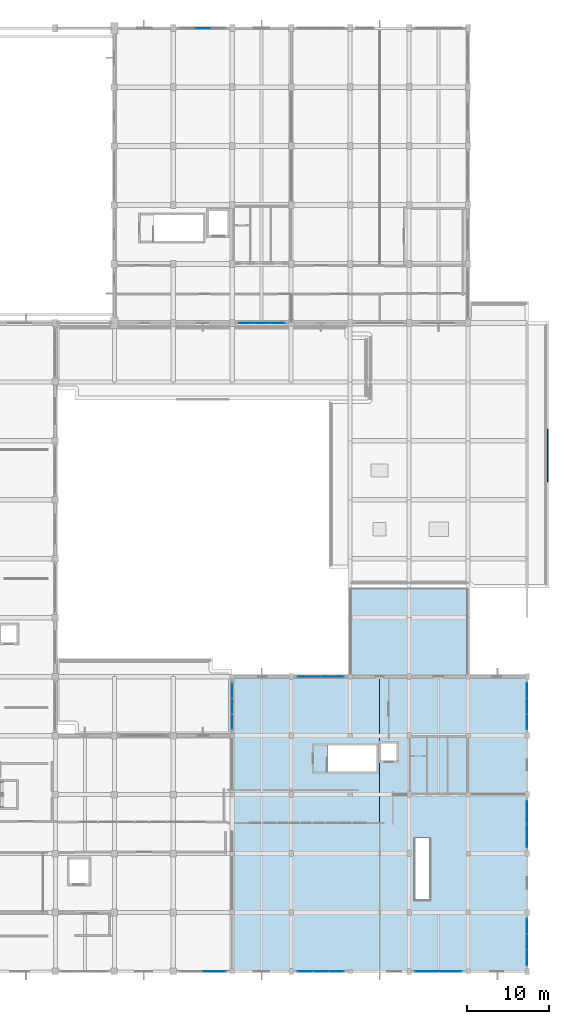
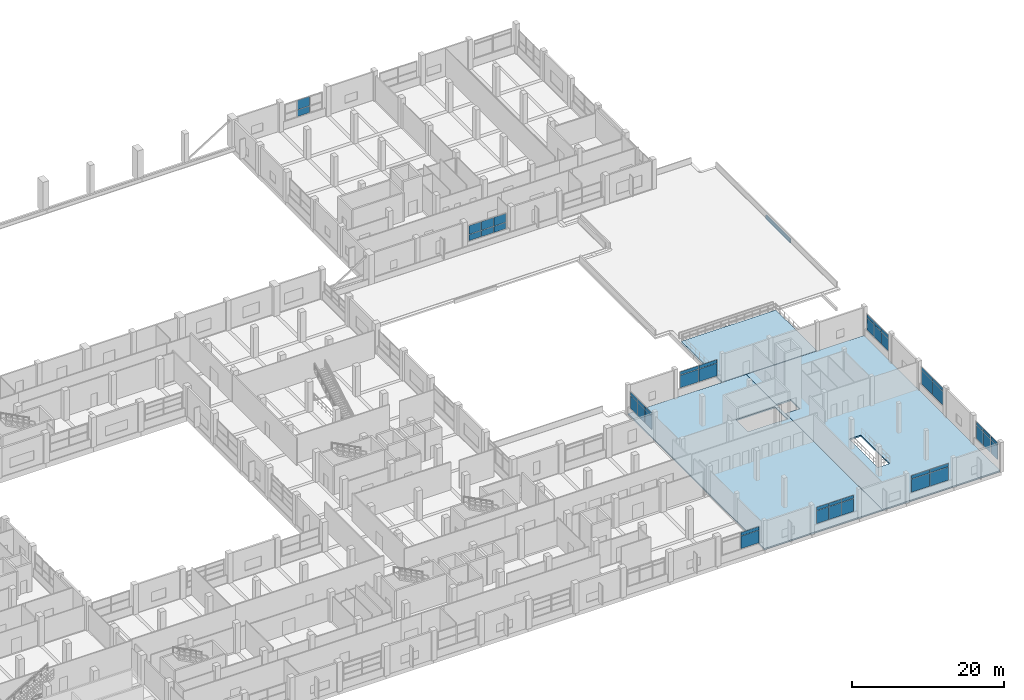
# One storey, part 114 of 140: 47 plates, 3 slabs, 10 elements without a shape of their own.
"""IFC4 building model written with IfcOpenShell, lengths in metres."""

from ifc_helpers import new_model, si_unit, direction, frame, origin, origin_2d, place, context, subcontext, project, spatial, polyline, rectangle, outline, extrude, material, layer, layer_set, type_object, element, aggregate, save


model = new_model("IFC4")

# Units and contexts
model_context = context("Model", 3, precision=1e-05, world=origin(), true_north=direction((0.0, 1.0)))
body_context = subcontext(model_context, "Body", "Model", "MODEL_VIEW")
ifc_project = project(units=[si_unit("LENGTHUNIT", "METRE"), si_unit("AREAUNIT", "SQUARE_METRE"), si_unit("VOLUMEUNIT", "CUBIC_METRE"), si_unit("PLANEANGLEUNIT", "RADIAN"), si_unit("MASSUNIT", "GRAM", prefix="KILO")], contexts=[model_context])

# Site, building, storey
site_placement = place(None, origin())
site = spatial("IfcSite", under=ifc_project, at=site_placement, CompositionType="ELEMENT")
building_placement = place(site_placement, origin())
building = spatial("IfcBuilding", under=site, at=building_placement, Name="Seraya Terrace Polytechnic", CompositionType="ELEMENT")
storey_placement = place(building_placement, frame((0.0, 0.0, 9.60009765625)))
storey = spatial("IfcBuildingStorey", under=building, at=storey_placement, Name="L02", CompositionType="ELEMENT", Elevation=9.60009765625)

# Curtain wall, plates
ifc_material_1 = material(Name="Anodised aluminium EN AW-6063 T6", Category="aluminium")
ifc_layer_1 = layer(ifc_material_1, 0.179931640625, Name="CW-28")
ifc_layer_set_1 = layer_set([ifc_layer_1], Name="Anodised aluminium EN AW-6063 T6")
curtain_wall_type_1 = type_object("IfcCurtainWallType", Name="CW-28", PredefinedType="NOTDEFINED", material=ifc_layer_set_1)
curtain_wall_1_placement = place(storey_placement, origin())
curtain_wall_1 = element("IfcCurtainWall", 1, at=curtain_wall_1_placement, inside=storey, type_object=curtain_wall_type_1, Name="Unitised curtain wall CW-28 (CW-L02-064)", PredefinedType="NOTDEFINED")
ifc_material_2 = material(Name="Laminated solar-control Low-E double glazing", Category="glass")
ifc_layer_2 = layer(ifc_material_2, 0.028076171875, Name="CWP-01")
ifc_layer_set_2 = layer_set([ifc_layer_2], Name="Laminated solar-control Low-E double glazing")
plate_type_1 = type_object("IfcPlateType", Name="CWP-01", PredefinedType="CURTAIN_PANEL", material=ifc_layer_set_2)
plate_1_placement = place(storey_placement, frame((129.60009765625, 30.496337890625, 1.2998046875), z_axis=(0.0, 0.0, 1.0), x_axis=(0.0, 1.0, 0.0)))
plate_1 = element("IfcPlate", 2, at=plate_1_placement, type_object=plate_type_1, Name="CW-28 panel 1.1", PredefinedType="CURTAIN_PANEL", context=body_context, shape_type="SweptSolid", body=[
    extrude(rectangle(XDim=1.822509765625, YDim=0.028076171875, at=origin_2d()), origin(), (0.0, 0.0, 1.0), 2.050048828125),
])
plate_2_placement = place(storey_placement, frame((129.60009765625, 30.496337890625, 3.40966796875), z_axis=(0.0, 0.0, 1.0), x_axis=(0.0, 1.0, 0.0)))
plate_2 = element("IfcPlate", 3, at=plate_2_placement, type_object=plate_type_1, Name="CW-28 panel 1.2", PredefinedType="CURTAIN_PANEL", context=body_context, shape_type="SweptSolid", body=[
    extrude(rectangle(XDim=1.822509765625, YDim=0.028076171875, at=origin_2d()), origin(), (0.0, 0.0, 1.0), 0.530029296875),
])
plate_3_placement = place(storey_placement, frame((129.60009765625, 32.39990234375, 1.2998046875), z_axis=(0.0, 0.0, 1.0), x_axis=(0.0, 1.0, 0.0)))
plate_3 = element("IfcPlate", 4, at=plate_3_placement, type_object=plate_type_1, Name="CW-28 panel 2.1", PredefinedType="CURTAIN_PANEL", context=body_context, shape_type="SweptSolid", body=[
    extrude(rectangle(XDim=1.85498046875, YDim=0.028076171875, at=origin_2d()), origin(), (0.0, 0.0, 1.0), 2.050048828125),
])
plate_4_placement = place(storey_placement, frame((129.60009765625, 32.39990234375, 3.40966796875), z_axis=(0.0, 0.0, 1.0), x_axis=(0.0, 1.0, 0.0)))
plate_4 = element("IfcPlate", 5, at=plate_4_placement, type_object=plate_type_1, Name="CW-28 panel 2.2", PredefinedType="CURTAIN_PANEL", context=body_context, shape_type="SweptSolid", body=[
    extrude(rectangle(XDim=1.85498046875, YDim=0.028076171875, at=origin_2d()), origin(), (0.0, 0.0, 1.0), 0.530029296875),
])
plate_5_placement = place(storey_placement, frame((129.60009765625, 34.3037109375, 1.2998046875), z_axis=(0.0, 0.0, 1.0), x_axis=(0.0, 1.0, 0.0)))
plate_5 = element("IfcPlate", 6, at=plate_5_placement, type_object=plate_type_1, Name="CW-28 panel 3.1", PredefinedType="CURTAIN_PANEL", context=body_context, shape_type="SweptSolid", body=[
    extrude(rectangle(XDim=1.822509765625, YDim=0.028076171875, at=origin_2d()), origin(), (0.0, 0.0, 1.0), 2.050048828125),
])
plate_6_placement = place(storey_placement, frame((129.60009765625, 34.3037109375, 3.40966796875), z_axis=(0.0, 0.0, 1.0), x_axis=(0.0, 1.0, 0.0)))
plate_6 = element("IfcPlate", 7, at=plate_6_placement, type_object=plate_type_1, Name="CW-28 panel 3.2", PredefinedType="CURTAIN_PANEL", context=body_context, shape_type="SweptSolid", body=[
    extrude(rectangle(XDim=1.822509765625, YDim=0.028076171875, at=origin_2d()), origin(), (0.0, 0.0, 1.0), 0.530029296875),
])
aggregate(curtain_wall_1, [plate_1, plate_2, plate_3, plate_4, plate_5, plate_6])

ifc_layer_3 = layer(ifc_material_1, 0.179931640625, Name="CW-31")
ifc_layer_set_3 = layer_set([ifc_layer_3], Name="Anodised aluminium EN AW-6063 T6")
curtain_wall_type_2 = type_object("IfcCurtainWallType", Name="CW-31", PredefinedType="NOTDEFINED", material=ifc_layer_set_3)
curtain_wall_2_placement = place(storey_placement, origin())
curtain_wall_2 = element("IfcCurtainWall", 8, at=curtain_wall_2_placement, inside=storey, type_object=curtain_wall_type_2, Name="Unitised curtain wall CW-31 (CW-L02-067)", PredefinedType="NOTDEFINED")
plate_7_placement = place(storey_placement, frame((165.60009765625, 19.423828125, 1.300048828125), z_axis=(0.0, 0.0, 1.0), x_axis=(0.0, -1.0, 0.0)))
plate_7 = element("IfcPlate", 9, at=plate_7_placement, type_object=plate_type_1, Name="CW-31 panel 1.1", PredefinedType="CURTAIN_PANEL", context=body_context, shape_type="SweptSolid", body=[
    extrude(rectangle(XDim=2.782470703125, YDim=0.028076171875, at=origin_2d()), origin(), (0.0, 0.0, 1.0), 2.169921875),
])
plate_8_placement = place(storey_placement, frame((165.60009765625, 19.423828125, 3.52978515625), z_axis=(0.0, 0.0, 1.0), x_axis=(0.0, -1.0, 0.0)))
plate_8 = element("IfcPlate", 10, at=plate_8_placement, type_object=plate_type_1, Name="CW-31 panel 1.2", PredefinedType="CURTAIN_PANEL", context=body_context, shape_type="SweptSolid", body=[
    extrude(rectangle(XDim=2.782470703125, YDim=0.028076171875, at=origin_2d()), origin(), (0.0, 0.0, 1.0), 0.530029296875),
])
plate_9_placement = place(storey_placement, frame((165.60009765625, 16.576171875, 1.300048828125), z_axis=(0.0, 0.0, 1.0), x_axis=(0.0, -1.0, 0.0)))
plate_9 = element("IfcPlate", 11, at=plate_9_placement, type_object=plate_type_1, Name="CW-31 panel 2.1", PredefinedType="CURTAIN_PANEL", context=body_context, shape_type="SweptSolid", body=[
    extrude(rectangle(XDim=2.782470703125, YDim=0.028076171875, at=origin_2d()), origin(), (0.0, 0.0, 1.0), 2.169921875),
])
plate_10_placement = place(storey_placement, frame((165.60009765625, 16.576171875, 3.52978515625), z_axis=(0.0, 0.0, 1.0), x_axis=(0.0, -1.0, 0.0)))
plate_10 = element("IfcPlate", 12, at=plate_10_placement, type_object=plate_type_1, Name="CW-31 panel 2.2", PredefinedType="CURTAIN_PANEL", context=body_context, shape_type="SweptSolid", body=[
    extrude(rectangle(XDim=2.782470703125, YDim=0.028076171875, at=origin_2d()), origin(), (0.0, 0.0, 1.0), 0.530029296875),
])
aggregate(curtain_wall_2, [plate_7, plate_8, plate_9, plate_10])

ifc_layer_4 = layer(ifc_material_1, 0.179931640625, Name="CW-34")
ifc_layer_set_4 = layer_set([ifc_layer_4], Name="Anodised aluminium EN AW-6063 T6")
curtain_wall_type_3 = type_object("IfcCurtainWallType", Name="CW-34", PredefinedType="NOTDEFINED", material=ifc_layer_set_4)
curtain_wall_3_placement = place(storey_placement, origin())
curtain_wall_3 = element("IfcCurtainWall", 13, at=curtain_wall_3_placement, inside=storey, type_object=curtain_wall_type_3, Name="Unitised curtain wall CW-34 (CW-L02-070)", PredefinedType="NOTDEFINED")
plate_11_placement = place(storey_placement, frame((142.3037109375, 0.0, 1.2998046875), z_axis=(0.0, 0.0, 1.0), x_axis=(-1.0, 0.0, 0.0)))
plate_11 = element("IfcPlate", 14, at=plate_11_placement, type_object=plate_type_1, Name="CW-34 panel 1.1", PredefinedType="CURTAIN_PANEL", context=body_context, shape_type="SweptSolid", body=[
    extrude(rectangle(XDim=1.822509765625, YDim=0.028076171875, at=origin_2d()), origin(), (0.0, 0.0, 1.0), 2.050048828125),
])
plate_12_placement = place(storey_placement, frame((142.3037109375, 0.0, 3.40966796875), z_axis=(0.0, 0.0, 1.0), x_axis=(-1.0, 0.0, 0.0)))
plate_12 = element("IfcPlate", 15, at=plate_12_placement, type_object=plate_type_1, Name="CW-34 panel 1.2", PredefinedType="CURTAIN_PANEL", context=body_context, shape_type="SweptSolid", body=[
    extrude(rectangle(XDim=1.822509765625, YDim=0.028076171875, at=origin_2d()), origin(), (0.0, 0.0, 1.0), 0.530029296875),
])
plate_13_placement = place(storey_placement, frame((140.39990234375, 0.0, 1.2998046875), z_axis=(0.0, 0.0, 1.0), x_axis=(-1.0, 0.0, 0.0)))
plate_13 = element("IfcPlate", 16, at=plate_13_placement, type_object=plate_type_1, Name="CW-34 panel 2.1", PredefinedType="CURTAIN_PANEL", context=body_context, shape_type="SweptSolid", body=[
    extrude(rectangle(XDim=1.85498046875, YDim=0.028076171875, at=origin_2d()), origin(), (0.0, 0.0, 1.0), 2.050048828125),
])
plate_14_placement = place(storey_placement, frame((140.39990234375, 0.0, 3.40966796875), z_axis=(0.0, 0.0, 1.0), x_axis=(-1.0, 0.0, 0.0)))
plate_14 = element("IfcPlate", 17, at=plate_14_placement, type_object=plate_type_1, Name="CW-34 panel 2.2", PredefinedType="CURTAIN_PANEL", context=body_context, shape_type="SweptSolid", body=[
    extrude(rectangle(XDim=1.85498046875, YDim=0.028076171875, at=origin_2d()), origin(), (0.0, 0.0, 1.0), 0.530029296875),
])
plate_15_placement = place(storey_placement, frame((138.496337890625, 0.0, 1.2998046875), z_axis=(0.0, 0.0, 1.0), x_axis=(-1.0, 0.0, 0.0)))
plate_15 = element("IfcPlate", 18, at=plate_15_placement, type_object=plate_type_1, Name="CW-34 panel 3.1", PredefinedType="CURTAIN_PANEL", context=body_context, shape_type="SweptSolid", body=[
    extrude(rectangle(XDim=1.822509765625, YDim=0.028076171875, at=origin_2d()), origin(), (0.0, 0.0, 1.0), 2.050048828125),
])
plate_16_placement = place(storey_placement, frame((138.496337890625, 0.0, 3.40966796875), z_axis=(0.0, 0.0, 1.0), x_axis=(-1.0, 0.0, 0.0)))
plate_16 = element("IfcPlate", 19, at=plate_16_placement, type_object=plate_type_1, Name="CW-34 panel 3.2", PredefinedType="CURTAIN_PANEL", context=body_context, shape_type="SweptSolid", body=[
    extrude(rectangle(XDim=1.822509765625, YDim=0.028076171875, at=origin_2d()), origin(), (0.0, 0.0, 1.0), 0.530029296875),
])
aggregate(curtain_wall_3, [plate_11, plate_12, plate_13, plate_14, plate_15, plate_16])

ifc_layer_5 = layer(ifc_material_1, 0.179931640625, Name="CW-29")
ifc_layer_set_5 = layer_set([ifc_layer_5], Name="Anodised aluminium EN AW-6063 T6")
curtain_wall_type_4 = type_object("IfcCurtainWallType", Name="CW-29", PredefinedType="NOTDEFINED", material=ifc_layer_set_5)
curtain_wall_4_placement = place(storey_placement, origin())
curtain_wall_4 = element("IfcCurtainWall", 20, at=curtain_wall_4_placement, inside=storey, type_object=curtain_wall_type_4, Name="Unitised curtain wall CW-29 (CW-L02-065)", PredefinedType="NOTDEFINED")
ifc_layer_6 = layer(ifc_material_2, 0.031982421875, Name="CWP-02")
ifc_layer_set_6 = layer_set([ifc_layer_6], Name="Laminated solar-control Low-E double glazing")
plate_type_2 = type_object("IfcPlateType", Name="CWP-02", PredefinedType="CURTAIN_PANEL", material=ifc_layer_set_6)
plate_17_placement = place(storey_placement, frame((138.97509765625, 36.0, 1.2998046875), z_axis=(0.0, 0.0, 1.0), x_axis=(1.0, 0.0, 0.0)))
plate_17 = element("IfcPlate", 21, at=plate_17_placement, type_object=plate_type_2, Name="CW-29 panel 1.1", PredefinedType="CURTAIN_PANEL", context=body_context, shape_type="SweptSolid", body=[
    extrude(rectangle(XDim=2.7900390625, YDim=0.031982421875, at=origin_2d()), origin(), (0.0, 0.0, 1.0), 2.010009765625),
])
plate_18_placement = place(storey_placement, frame((138.97509765625, 36.0, 3.3701171875), z_axis=(0.0, 0.0, 1.0), x_axis=(1.0, 0.0, 0.0)))
plate_18 = element("IfcPlate", 22, at=plate_18_placement, type_object=plate_type_2, Name="CW-29 panel 1.2", PredefinedType="CURTAIN_PANEL", context=body_context, shape_type="SweptSolid", body=[
    extrude(rectangle(XDim=2.7900390625, YDim=0.031982421875, at=origin_2d()), origin(), (0.0, 0.0, 1.0), 0.530029296875),
])
plate_19_placement = place(storey_placement, frame((141.824951171875, 36.0, 1.2998046875), z_axis=(0.0, 0.0, 1.0), x_axis=(1.0, 0.0, 0.0)))
plate_19 = element("IfcPlate", 23, at=plate_19_placement, type_object=plate_type_2, Name="CW-29 panel 2.1", PredefinedType="CURTAIN_PANEL", context=body_context, shape_type="SweptSolid", body=[
    extrude(rectangle(XDim=2.7900390625, YDim=0.031982421875, at=origin_2d()), origin(), (0.0, 0.0, 1.0), 2.010009765625),
])
plate_20_placement = place(storey_placement, frame((141.824951171875, 36.0, 3.3701171875), z_axis=(0.0, 0.0, 1.0), x_axis=(1.0, 0.0, 0.0)))
plate_20 = element("IfcPlate", 24, at=plate_20_placement, type_object=plate_type_2, Name="CW-29 panel 2.2", PredefinedType="CURTAIN_PANEL", context=body_context, shape_type="SweptSolid", body=[
    extrude(rectangle(XDim=2.7900390625, YDim=0.031982421875, at=origin_2d()), origin(), (0.0, 0.0, 1.0), 0.530029296875),
])
aggregate(curtain_wall_4, [plate_17, plate_18, plate_19, plate_20])

ifc_layer_7 = layer(ifc_material_1, 0.179931640625, Name="CW-32")
ifc_layer_set_7 = layer_set([ifc_layer_7], Name="Anodised aluminium EN AW-6063 T6")
curtain_wall_type_5 = type_object("IfcCurtainWallType", Name="CW-32", PredefinedType="NOTDEFINED", material=ifc_layer_set_7)
curtain_wall_5_placement = place(storey_placement, origin())
curtain_wall_5 = element("IfcCurtainWall", 25, at=curtain_wall_5_placement, inside=storey, type_object=curtain_wall_type_5, Name="Unitised curtain wall CW-32 (CW-L02-068)", PredefinedType="NOTDEFINED")
plate_21_placement = place(storey_placement, frame((165.60009765625, 5.5048828125, 1.300048828125), z_axis=(0.0, 0.0, 1.0), x_axis=(0.0, -1.0, 0.0)))
plate_21 = element("IfcPlate", 26, at=plate_21_placement, type_object=plate_type_2, Name="CW-32 panel 1.1", PredefinedType="CURTAIN_PANEL", context=body_context, shape_type="SweptSolid", body=[
    extrude(rectangle(XDim=1.830078125, YDim=0.031982421875, at=origin_2d()), origin(), (0.0, 0.0, 1.0), 2.1298828125),
])
plate_22_placement = place(storey_placement, frame((165.60009765625, 5.5048828125, 3.48974609375), z_axis=(0.0, 0.0, 1.0), x_axis=(0.0, -1.0, 0.0)))
plate_22 = element("IfcPlate", 27, at=plate_22_placement, type_object=plate_type_2, Name="CW-32 panel 1.2", PredefinedType="CURTAIN_PANEL", context=body_context, shape_type="SweptSolid", body=[
    extrude(rectangle(XDim=1.830078125, YDim=0.031982421875, at=origin_2d()), origin(), (0.0, 0.0, 1.0), 0.530029296875),
])
plate_23_placement = place(storey_placement, frame((165.60009765625, 3.60009765625, 1.300048828125), z_axis=(0.0, 0.0, 1.0), x_axis=(0.0, -1.0, 0.0)))
plate_23 = element("IfcPlate", 28, at=plate_23_placement, type_object=plate_type_2, Name="CW-32 panel 2.1", PredefinedType="CURTAIN_PANEL", context=body_context, shape_type="SweptSolid", body=[
    extrude(rectangle(XDim=1.860107421875, YDim=0.031982421875, at=origin_2d()), origin(), (0.0, 0.0, 1.0), 2.1298828125),
])
plate_24_placement = place(storey_placement, frame((165.60009765625, 3.60009765625, 3.48974609375), z_axis=(0.0, 0.0, 1.0), x_axis=(0.0, -1.0, 0.0)))
plate_24 = element("IfcPlate", 29, at=plate_24_placement, type_object=plate_type_2, Name="CW-32 panel 2.2", PredefinedType="CURTAIN_PANEL", context=body_context, shape_type="SweptSolid", body=[
    extrude(rectangle(XDim=1.860107421875, YDim=0.031982421875, at=origin_2d()), origin(), (0.0, 0.0, 1.0), 0.530029296875),
])
plate_25_placement = place(storey_placement, frame((165.60009765625, 1.695068359375, 1.300048828125), z_axis=(0.0, 0.0, 1.0), x_axis=(0.0, -1.0, 0.0)))
plate_25 = element("IfcPlate", 30, at=plate_25_placement, type_object=plate_type_2, Name="CW-32 panel 3.1", PredefinedType="CURTAIN_PANEL", context=body_context, shape_type="SweptSolid", body=[
    extrude(rectangle(XDim=1.830078125, YDim=0.031982421875, at=origin_2d()), origin(), (0.0, 0.0, 1.0), 2.1298828125),
])
plate_26_placement = place(storey_placement, frame((165.60009765625, 1.695068359375, 3.48974609375), z_axis=(0.0, 0.0, 1.0), x_axis=(0.0, -1.0, 0.0)))
plate_26 = element("IfcPlate", 31, at=plate_26_placement, type_object=plate_type_2, Name="CW-32 panel 3.2", PredefinedType="CURTAIN_PANEL", context=body_context, shape_type="SweptSolid", body=[
    extrude(rectangle(XDim=1.830078125, YDim=0.031982421875, at=origin_2d()), origin(), (0.0, 0.0, 1.0), 0.530029296875),
])
aggregate(curtain_wall_5, [plate_21, plate_22, plate_23, plate_24, plate_25, plate_26])

ifc_layer_8 = layer(ifc_material_1, 0.179931640625, Name="CW-35")
ifc_layer_set_8 = layer_set([ifc_layer_8], Name="Anodised aluminium EN AW-6063 T6")
curtain_wall_type_6 = type_object("IfcCurtainWallType", Name="CW-35", PredefinedType="NOTDEFINED", material=ifc_layer_set_8)
curtain_wall_6_placement = place(storey_placement, origin())
curtain_wall_6 = element("IfcCurtainWall", 32, at=curtain_wall_6_placement, inside=storey, type_object=curtain_wall_type_6, Name="Unitised curtain wall CW-35 (CW-L02-071)", PredefinedType="NOTDEFINED")
plate_27_placement = place(storey_placement, frame((127.425048828125, 0.0, 1.2998046875), z_axis=(0.0, 0.0, 1.0), x_axis=(-1.0, 0.0, 0.0)))
plate_27 = element("IfcPlate", 33, at=plate_27_placement, type_object=plate_type_2, Name="CW-35 panel 1.1", PredefinedType="CURTAIN_PANEL", context=body_context, shape_type="SweptSolid", body=[
    extrude(rectangle(XDim=2.7900390625, YDim=0.031982421875, at=origin_2d()), origin(), (0.0, 0.0, 1.0), 2.010009765625),
])
plate_28_placement = place(storey_placement, frame((127.425048828125, 0.0, 3.3701171875), z_axis=(0.0, 0.0, 1.0), x_axis=(-1.0, 0.0, 0.0)))
plate_28 = element("IfcPlate", 34, at=plate_28_placement, type_object=plate_type_2, Name="CW-35 panel 1.2", PredefinedType="CURTAIN_PANEL", context=body_context, shape_type="SweptSolid", body=[
    extrude(rectangle(XDim=2.7900390625, YDim=0.031982421875, at=origin_2d()), origin(), (0.0, 0.0, 1.0), 0.530029296875),
])
aggregate(curtain_wall_6, [plate_27, plate_28])

ifc_layer_9 = layer(ifc_material_1, 0.179931640625, Name="CW-23")
ifc_layer_set_9 = layer_set([ifc_layer_9], Name="Anodised aluminium EN AW-6063 T6")
curtain_wall_type_7 = type_object("IfcCurtainWallType", Name="CW-23", PredefinedType="NOTDEFINED", material=ifc_layer_set_9)
curtain_wall_7_placement = place(storey_placement, origin())
curtain_wall_7 = element("IfcCurtainWall", 35, at=curtain_wall_7_placement, inside=storey, type_object=curtain_wall_type_7, Name="Unitised curtain wall CW-23 (CW-L02-095)", PredefinedType="NOTDEFINED")
plate_29_placement = place(storey_placement, frame((126.0, 115.199951171875, 1.2998046875), z_axis=(0.0, 0.0, 1.0), x_axis=(1.0, 0.0, 0.0)))
plate_29 = element("IfcPlate", 36, at=plate_29_placement, type_object=plate_type_2, Name="CW-23 panel 2.1", PredefinedType="CURTAIN_PANEL", context=body_context, shape_type="SweptSolid", body=[
    extrude(rectangle(XDim=1.860107421875, YDim=0.031982421875, at=origin_2d()), origin(), (0.0, 0.0, 1.0), 1.052490234375),
])
plate_30_placement = place(storey_placement, frame((126.0, 115.199951171875, 2.412109375), z_axis=(0.0, 0.0, 1.0), x_axis=(1.0, 0.0, 0.0)))
plate_30 = element("IfcPlate", 37, at=plate_30_placement, type_object=plate_type_2, Name="CW-23 panel 2.2", PredefinedType="CURTAIN_PANEL", context=body_context, shape_type="SweptSolid", body=[
    extrude(rectangle(XDim=1.860107421875, YDim=0.031982421875, at=origin_2d()), origin(), (0.0, 0.0, 1.0), 1.487548828125),
])
aggregate(curtain_wall_7, [plate_29, plate_30])

ifc_layer_10 = layer(ifc_material_1, 0.179931640625, Name="CW-30")
ifc_layer_set_10 = layer_set([ifc_layer_10], Name="Anodised aluminium EN AW-6063 T6")
curtain_wall_type_8 = type_object("IfcCurtainWallType", Name="CW-30", PredefinedType="NOTDEFINED", material=ifc_layer_set_10)
curtain_wall_8_placement = place(storey_placement, origin())
curtain_wall_8 = element("IfcCurtainWall", 38, at=curtain_wall_8_placement, inside=storey, type_object=curtain_wall_type_8, Name="Unitised curtain wall CW-30 (CW-L02-066)", PredefinedType="NOTDEFINED")
ifc_layer_11 = layer(ifc_material_2, 0.035888671875, Name="CWP-03")
ifc_layer_set_11 = layer_set([ifc_layer_11], Name="Laminated solar-control Low-E double glazing")
plate_type_3 = type_object("IfcPlateType", Name="CWP-03", PredefinedType="CURTAIN_PANEL", material=ifc_layer_set_11)
plate_31_placement = place(storey_placement, frame((165.60009765625, 34.304931640625, 1.294921875), z_axis=(0.0, 0.0, 1.0), x_axis=(0.0, -1.0, 0.0)))
plate_31 = element("IfcPlate", 39, at=plate_31_placement, type_object=plate_type_3, Name="CW-30 panel 1.1", PredefinedType="CURTAIN_PANEL", context=body_context, shape_type="SweptSolid", body=[
    extrude(rectangle(XDim=1.830078125, YDim=0.035888671875, at=origin_2d()), origin(), (0.0, 0.0, 1.0), 1.9775390625),
])
plate_32_placement = place(storey_placement, frame((165.60009765625, 34.304931640625, 3.327392578125), z_axis=(0.0, 0.0, 1.0), x_axis=(0.0, -1.0, 0.0)))
plate_32 = element("IfcPlate", 40, at=plate_32_placement, type_object=plate_type_3, Name="CW-30 panel 1.2", PredefinedType="CURTAIN_PANEL", context=body_context, shape_type="SweptSolid", body=[
    extrude(rectangle(XDim=1.830078125, YDim=0.035888671875, at=origin_2d()), origin(), (0.0, 0.0, 1.0), 0.53759765625),
])
plate_33_placement = place(storey_placement, frame((165.60009765625, 32.39990234375, 1.294921875), z_axis=(0.0, 0.0, 1.0), x_axis=(0.0, -1.0, 0.0)))
plate_33 = element("IfcPlate", 41, at=plate_33_placement, type_object=plate_type_3, Name="CW-30 panel 2.1", PredefinedType="CURTAIN_PANEL", context=body_context, shape_type="SweptSolid", body=[
    extrude(rectangle(XDim=1.860107421875, YDim=0.035888671875, at=origin_2d()), origin(), (0.0, 0.0, 1.0), 1.9775390625),
])
plate_34_placement = place(storey_placement, frame((165.60009765625, 32.39990234375, 3.327392578125), z_axis=(0.0, 0.0, 1.0), x_axis=(0.0, -1.0, 0.0)))
plate_34 = element("IfcPlate", 42, at=plate_34_placement, type_object=plate_type_3, Name="CW-30 panel 2.2", PredefinedType="CURTAIN_PANEL", context=body_context, shape_type="SweptSolid", body=[
    extrude(rectangle(XDim=1.860107421875, YDim=0.035888671875, at=origin_2d()), origin(), (0.0, 0.0, 1.0), 0.53759765625),
])
plate_35_placement = place(storey_placement, frame((165.60009765625, 30.4951171875, 1.294921875), z_axis=(0.0, 0.0, 1.0), x_axis=(0.0, -1.0, 0.0)))
plate_35 = element("IfcPlate", 43, at=plate_35_placement, type_object=plate_type_3, Name="CW-30 panel 3.1", PredefinedType="CURTAIN_PANEL", context=body_context, shape_type="SweptSolid", body=[
    extrude(rectangle(XDim=1.830078125, YDim=0.035888671875, at=origin_2d()), origin(), (0.0, 0.0, 1.0), 1.9775390625),
])
plate_36_placement = place(storey_placement, frame((165.60009765625, 30.4951171875, 3.327392578125), z_axis=(0.0, 0.0, 1.0), x_axis=(0.0, -1.0, 0.0)))
plate_36 = element("IfcPlate", 44, at=plate_36_placement, type_object=plate_type_3, Name="CW-30 panel 3.2", PredefinedType="CURTAIN_PANEL", context=body_context, shape_type="SweptSolid", body=[
    extrude(rectangle(XDim=1.830078125, YDim=0.035888671875, at=origin_2d()), origin(), (0.0, 0.0, 1.0), 0.53759765625),
])
aggregate(curtain_wall_8, [plate_31, plate_32, plate_33, plate_34, plate_35, plate_36])

ifc_layer_12 = layer(ifc_material_1, 0.179931640625, Name="CW-33")
ifc_layer_set_12 = layer_set([ifc_layer_12], Name="Anodised aluminium EN AW-6063 T6")
curtain_wall_type_9 = type_object("IfcCurtainWallType", Name="CW-33", PredefinedType="NOTDEFINED", material=ifc_layer_set_12)
curtain_wall_9_placement = place(storey_placement, origin())
curtain_wall_9 = element("IfcCurtainWall", 45, at=curtain_wall_9_placement, inside=storey, type_object=curtain_wall_type_9, Name="Unitised curtain wall CW-33 (CW-L02-069)", PredefinedType="NOTDEFINED")
plate_37_placement = place(storey_placement, frame((156.22509765625, 0.0, 1.294921875), z_axis=(0.0, 0.0, 1.0), x_axis=(-1.0, 0.0, 0.0)))
plate_37 = element("IfcPlate", 46, at=plate_37_placement, type_object=plate_type_3, Name="CW-33 panel 1.1", PredefinedType="CURTAIN_PANEL", context=body_context, shape_type="SweptSolid", body=[
    extrude(rectangle(XDim=2.7900390625, YDim=0.035888671875, at=origin_2d()), origin(), (0.0, 0.0, 1.0), 2.097412109375),
])
plate_38_placement = place(storey_placement, frame((156.22509765625, 0.0, 3.447265625), z_axis=(0.0, 0.0, 1.0), x_axis=(-1.0, 0.0, 0.0)))
plate_38 = element("IfcPlate", 47, at=plate_38_placement, type_object=plate_type_3, Name="CW-33 panel 1.2", PredefinedType="CURTAIN_PANEL", context=body_context, shape_type="SweptSolid", body=[
    extrude(rectangle(XDim=2.7900390625, YDim=0.035888671875, at=origin_2d()), origin(), (0.0, 0.0, 1.0), 0.53759765625),
])
plate_39_placement = place(storey_placement, frame((153.375, 0.0, 1.294921875), z_axis=(0.0, 0.0, 1.0), x_axis=(-1.0, 0.0, 0.0)))
plate_39 = element("IfcPlate", 48, at=plate_39_placement, type_object=plate_type_3, Name="CW-33 panel 2.1", PredefinedType="CURTAIN_PANEL", context=body_context, shape_type="SweptSolid", body=[
    extrude(rectangle(XDim=2.7900390625, YDim=0.035888671875, at=origin_2d()), origin(), (0.0, 0.0, 1.0), 2.097412109375),
])
plate_40_placement = place(storey_placement, frame((153.375, 0.0, 3.447265625), z_axis=(0.0, 0.0, 1.0), x_axis=(-1.0, 0.0, 0.0)))
plate_40 = element("IfcPlate", 49, at=plate_40_placement, type_object=plate_type_3, Name="CW-33 panel 2.2", PredefinedType="CURTAIN_PANEL", context=body_context, shape_type="SweptSolid", body=[
    extrude(rectangle(XDim=2.7900390625, YDim=0.035888671875, at=origin_2d()), origin(), (0.0, 0.0, 1.0), 0.53759765625),
])
aggregate(curtain_wall_9, [plate_37, plate_38, plate_39, plate_40])

ifc_layer_13 = layer(ifc_material_1, 0.179931640625, Name="CW-21")
ifc_layer_set_13 = layer_set([ifc_layer_13], Name="Anodised aluminium EN AW-6063 T6")
curtain_wall_type_10 = type_object("IfcCurtainWallType", Name="CW-21", PredefinedType="NOTDEFINED", material=ifc_layer_set_13)
curtain_wall_10_placement = place(storey_placement, origin())
curtain_wall_10 = element("IfcCurtainWall", 50, at=curtain_wall_10_placement, inside=storey, type_object=curtain_wall_type_10, Name="Unitised curtain wall CW-21 (CW-L02-093)", PredefinedType="NOTDEFINED")
plate_41_placement = place(storey_placement, frame((135.10498046875, 79.199951171875, 1.294921875), z_axis=(0.0, 0.0, 1.0), x_axis=(-1.0, 0.0, 0.0)))
plate_41 = element("IfcPlate", 51, at=plate_41_placement, type_object=plate_type_3, Name="CW-21 panel 1.1", PredefinedType="CURTAIN_PANEL", context=body_context, shape_type="SweptSolid", body=[
    extrude(rectangle(XDim=1.830078125, YDim=0.035888671875, at=origin_2d()), origin(), (0.0, 0.0, 1.0), 0.984375),
])
plate_42_placement = place(storey_placement, frame((135.10498046875, 79.199951171875, 2.334228515625), z_axis=(0.0, 0.0, 1.0), x_axis=(-1.0, 0.0, 0.0)))
plate_42 = element("IfcPlate", 52, at=plate_42_placement, type_object=plate_type_3, Name="CW-21 panel 1.2", PredefinedType="CURTAIN_PANEL", context=body_context, shape_type="SweptSolid", body=[
    extrude(rectangle(XDim=1.830078125, YDim=0.035888671875, at=origin_2d()), origin(), (0.0, 0.0, 1.0), 1.390625),
])
plate_43_placement = place(storey_placement, frame((133.199951171875, 79.199951171875, 1.294921875), z_axis=(0.0, 0.0, 1.0), x_axis=(-1.0, 0.0, 0.0)))
plate_43 = element("IfcPlate", 53, at=plate_43_placement, type_object=plate_type_3, Name="CW-21 panel 2.1", PredefinedType="CURTAIN_PANEL", context=body_context, shape_type="SweptSolid", body=[
    extrude(rectangle(XDim=1.860107421875, YDim=0.035888671875, at=origin_2d()), origin(), (0.0, 0.0, 1.0), 0.984375),
])
plate_44_placement = place(storey_placement, frame((133.199951171875, 79.199951171875, 2.334228515625), z_axis=(0.0, 0.0, 1.0), x_axis=(-1.0, 0.0, 0.0)))
plate_44 = element("IfcPlate", 54, at=plate_44_placement, type_object=plate_type_3, Name="CW-21 panel 2.2", PredefinedType="CURTAIN_PANEL", context=body_context, shape_type="SweptSolid", body=[
    extrude(rectangle(XDim=1.860107421875, YDim=0.035888671875, at=origin_2d()), origin(), (0.0, 0.0, 1.0), 1.390625),
])
plate_45_placement = place(storey_placement, frame((131.294921875, 79.199951171875, 1.294921875), z_axis=(0.0, 0.0, 1.0), x_axis=(-1.0, 0.0, 0.0)))
plate_45 = element("IfcPlate", 55, at=plate_45_placement, type_object=plate_type_3, Name="CW-21 panel 3.1", PredefinedType="CURTAIN_PANEL", context=body_context, shape_type="SweptSolid", body=[
    extrude(rectangle(XDim=1.830078125, YDim=0.035888671875, at=origin_2d()), origin(), (0.0, 0.0, 1.0), 0.984375),
])
plate_46_placement = place(storey_placement, frame((131.294921875, 79.199951171875, 2.334228515625), z_axis=(0.0, 0.0, 1.0), x_axis=(-1.0, 0.0, 0.0)))
plate_46 = element("IfcPlate", 56, at=plate_46_placement, type_object=plate_type_3, Name="CW-21 panel 3.2", PredefinedType="CURTAIN_PANEL", context=body_context, shape_type="SweptSolid", body=[
    extrude(rectangle(XDim=1.830078125, YDim=0.035888671875, at=origin_2d()), origin(), (0.0, 0.0, 1.0), 1.390625),
])
aggregate(curtain_wall_10, [plate_41, plate_42, plate_43, plate_44, plate_45, plate_46])

# Plate
ifc_material_3 = material(Name="Precast concrete C40/50", Category="concrete")
ifc_layer_14 = layer(ifc_material_3, 0.159912109375, Name="FP-01")
ifc_layer_set_14 = layer_set([ifc_layer_14], Name="Precast concrete C40/50")
plate_type_4 = type_object("IfcPlateType", Name="FP-01", PredefinedType="SHEET", material=ifc_layer_set_14)
plate_47_placement = place(storey_placement, frame((168.1298828125, 63.0, -0.490234375), z_axis=(0.0, 0.0, 1.0), x_axis=(0.0, 1.0, 0.0)))
element("IfcPlate", 57, at=plate_47_placement, inside=storey, type_object=plate_type_4, Name="Sculpted white precast eave fascia ROOF-L02-EAST East", PredefinedType="SHEET", context=body_context, shape_type="SweptSolid", body=[
    extrude(rectangle(XDim=6.39990234375, YDim=0.159912109375, at=origin_2d()), origin(), (0.0, 0.0, 1.0), 0.6201171875),
])

# Slabs
ifc_material_4 = material(Name="Concrete C40/50", Category="concrete")
ifc_layer_15 = layer(ifc_material_4, 0.22998046875, Name="FS-06")
ifc_layer_set_15 = layer_set([ifc_layer_15], Name="Concrete C40/50")
slab_type_1 = type_object("IfcSlabType", Name="FS-06", PredefinedType="FLOOR", material=ifc_layer_set_15)
slab_1_placement = place(storey_placement, frame((0.0, 0.0, -0.22998046875)))
element("IfcSlab", 58, at=slab_1_placement, inside=storey, type_object=slab_type_1, Name="Floor slab SLB-V4-UNION-L02-S1 (FS-06)", PredefinedType="FLOOR", context=body_context, shape_type="SweptSolid", body=[
    extrude(outline(polyline([(129.659912109375, 0.06005859375), (129.659912109375, 35.93994140625), (147.60009765625, 35.93994140625), (147.60009765625, 0.06005859375), (129.659912109375, 0.06005859375)]), holes=[polyline([(147.199951171875, 27.60009765625), (141.239990234375, 27.60009765625), (141.239990234375, 24.39990234375), (147.199951171875, 24.39990234375), (147.199951171875, 27.60009765625)])]), origin(), (0.0, 0.0, 1.0), 0.22998046875),
])
slab_2_placement = place(storey_placement, frame((0.0, 0.0, -0.22998046875)))
element("IfcSlab", 59, at=slab_2_placement, inside=storey, type_object=slab_type_1, Name="Floor slab SLB-V4-UNION-L02-S2 (FS-06)", PredefinedType="FLOOR", context=body_context, shape_type="SweptSolid", body=[
    extrude(outline(polyline([(165.5400390625, 35.93994140625), (165.5400390625, 0.06005859375), (147.60498046875, 0.06005859375), (147.60498046875, 25.60009765625), (149.800048828125, 25.60009765625), (149.800048828125, 28.0), (147.60498046875, 28.0), (147.60498046875, 35.93994140625), (165.5400390625, 35.93994140625)]), holes=[polyline([(153.72998046875, 16.280029296875), (151.949951171875, 16.280029296875), (151.949951171875, 8.760009765625), (153.72998046875, 8.760009765625), (153.72998046875, 16.280029296875)])]), origin(), (0.0, 0.0, 1.0), 0.22998046875),
])
ifc_layer_16 = layer(ifc_material_4, 0.320068359375, Name="TS-01")
ifc_layer_set_16 = layer_set([ifc_layer_16], Name="Concrete C40/50")
slab_type_2 = type_object("IfcSlabType", Name="TS-01", PredefinedType="FLOOR", material=ifc_layer_set_16)
slab_3_placement = place(storey_placement, frame((0.0, 0.0, -0.320068359375)))
element("IfcSlab", 60, at=slab_3_placement, inside=storey, type_object=slab_type_2, Name="Planted study terrace slab TERR-L02-E", PredefinedType="FLOOR", context=body_context, shape_type="SweptSolid", body=[
    extrude(outline(polyline([(144.0, 36.0), (144.0, 46.800048828125), (158.39990234375, 46.800048828125), (158.39990234375, 36.0), (144.0, 36.0)])), origin(), (0.0, 0.0, 1.0), 0.320068359375),
])

save(model, "model.ifc")
